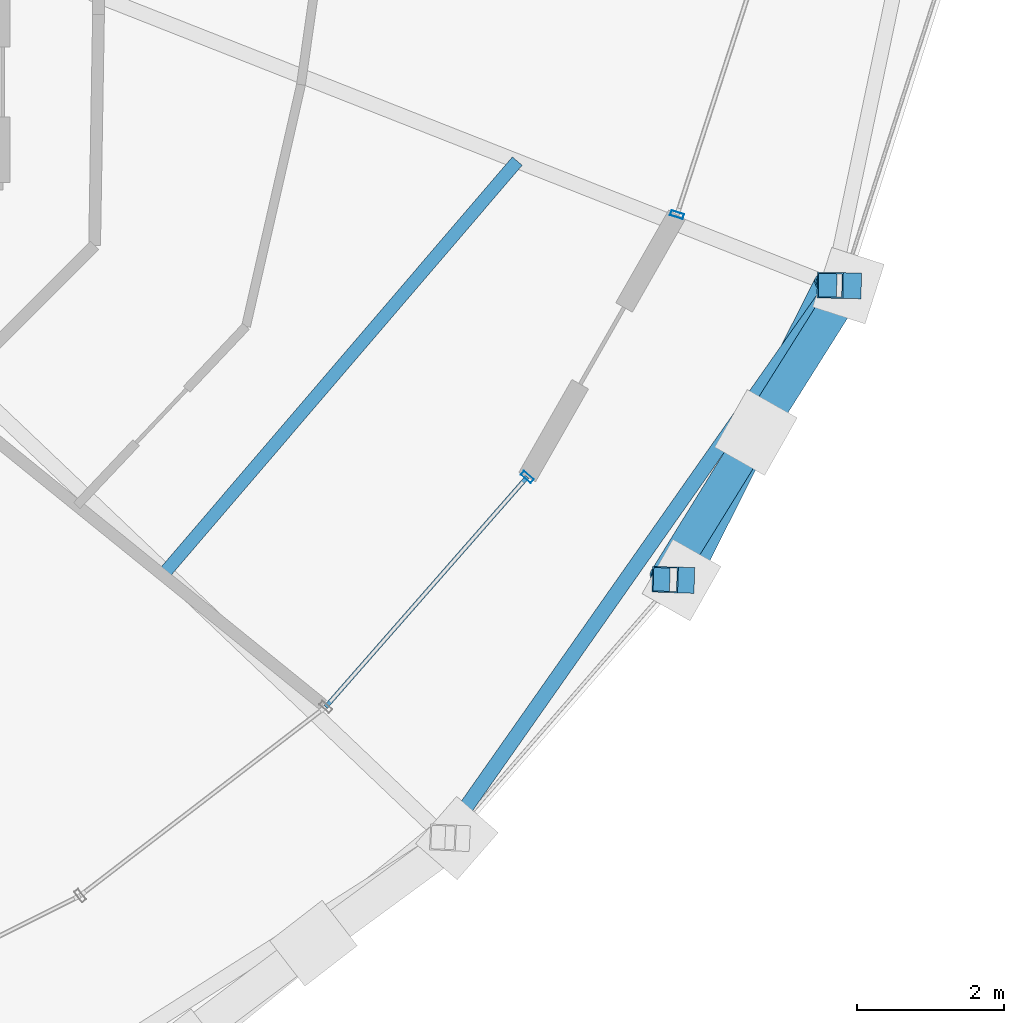
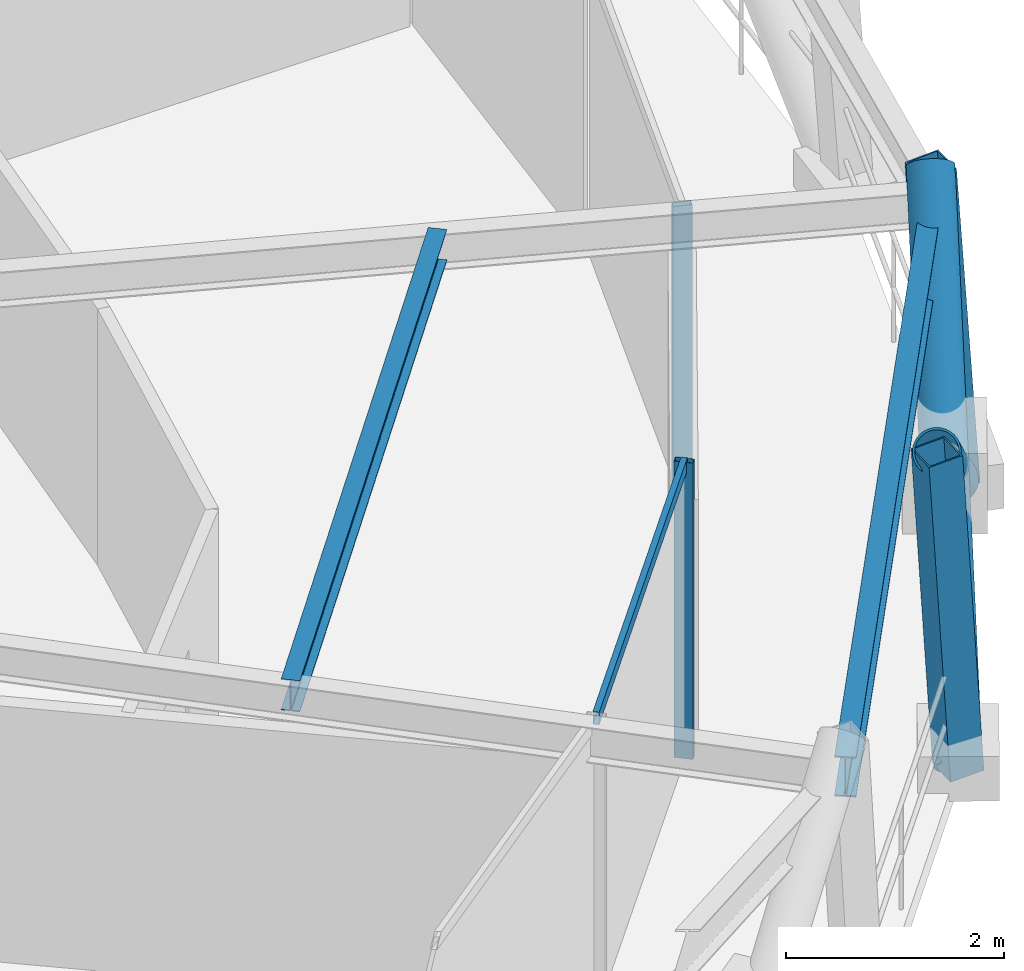
# One storey, part 5 of 17: 8 members, 2 beams, 2 elements without a shape of their own.
"""IFC4 building model written with IfcOpenShell, lengths in metres."""

from ifc_helpers import new_model, si_unit, direction, frame, origin, origin_2d, place, context, subcontext, project, spatial, hollow_rectangle, hollow_circle, i_section, extrude, material, layer, layer_set, material_profile, profile_set, type_object, element, aggregate, save


model = new_model("IFC4")

# Units and contexts
model_context = context("Model", 3, precision=1e-05, world=origin(), true_north=direction((0.0, 1.0)))
body_context = subcontext(model_context, "Body", "Model", "MODEL_VIEW")
ifc_project = project(units=[si_unit("LENGTHUNIT", "METRE"), si_unit("AREAUNIT", "SQUARE_METRE"), si_unit("VOLUMEUNIT", "CUBIC_METRE"), si_unit("PLANEANGLEUNIT", "RADIAN"), si_unit("MASSUNIT", "GRAM", prefix="KILO")], contexts=[model_context])

# Site, building, storey
site_placement = place(None, origin())
site = spatial("IfcSite", under=ifc_project, at=site_placement, CompositionType="ELEMENT")
building_placement = place(site_placement, origin())
building = spatial("IfcBuilding", under=site, at=building_placement, Name="Veldorina Hangang Commons", CompositionType="ELEMENT")
storey_placement = place(building_placement, frame((0.0, 0.0, 229.199951171875)))
storey = spatial("IfcBuildingStorey", under=building, at=storey_placement, Name="L59", CompositionType="ELEMENT", Elevation=229.199951171875)

# Beams
ifc_material_1 = material(Name="Steel SM355-TMC", Category="steel")
ifc_material_profile_1 = material_profile(ifc_material_1, i_section(OverallWidth=0.175048828125, OverallDepth=0.35009765625, WebThickness=0.007080078125, FlangeThickness=0.010986328125, FilletRadius=0.012939453125, at=origin_2d()), Name="H-350x175x7x11")
ifc_profile_set_1 = profile_set([ifc_material_profile_1], Name="Steel SM355-TMC")
beam_type_1 = type_object("IfcBeamType", Name="BM-JST350", PredefinedType="JOIST", material=ifc_profile_set_1)
beam_1_placement = place(storey_placement, frame((45.389404296875, 11.260986328125, 3.18505859375), z_axis=(0.650514890671, 0.759493500312, 0.0), x_axis=(-0.759493500312, 0.650514890671, 0.0)))
element("IfcBeam", 1, at=beam_1_placement, inside=storey, type_object=beam_type_1, Name="L59 secondary floor joist 15", PredefinedType="JOIST", context=body_context, shape_type="SweptSolid", body=[
    extrude(i_section(OverallWidth=0.175048828125, OverallDepth=0.35009765625, WebThickness=0.007080078125, FlangeThickness=0.010986328125, FilletRadius=0.012939453125, at=origin_2d()), origin(), (0.0, 0.0, 1.0), 7.345703125),
])
ifc_material_profile_2 = material_profile(ifc_material_1, i_section(OverallWidth=0.199951171875, OverallDepth=0.449951171875, WebThickness=0.009033203125, FlangeThickness=0.013916015625, FilletRadius=0.01611328125, at=origin_2d()), Name="H-450x200x9x14")
ifc_profile_set_2 = profile_set([ifc_material_profile_2], Name="Steel SM355-TMC")
beam_type_2 = type_object("IfcBeamType", Name="BM-RB450", PredefinedType="BEAM", material=ifc_profile_set_2)
beam_2_placement = place(storey_placement, frame((49.18310546875, 7.65185546875, 3.135009765625), z_axis=(0.574723801325, 0.818347451998, 0.0), x_axis=(-0.818347451998, 0.574723801325, 0.0)))
element("IfcBeam", 2, at=beam_2_placement, inside=storey, type_object=beam_type_2, Name="L59 perimeter hoop ring beam 28", PredefinedType="BEAM", context=body_context, shape_type="SweptSolid", body=[
    extrude(i_section(OverallWidth=0.199951171875, OverallDepth=0.449951171875, WebThickness=0.009033203125, FlangeThickness=0.013916015625, FilletRadius=0.01611328125, at=origin_2d()), origin(), (0.0, 0.0, 1.0), 9.16552734375),
])

# Curtain wall, member
ifc_material_2 = material(Name="Glass Low-E Selective", Category="glass")
ifc_layer = layer(ifc_material_2, 0.179931640625)
ifc_layer_set = layer_set([ifc_layer], Name="Glass Low-E Selective")
curtain_wall_type = type_object("IfcCurtainWallType", Name="CW-SYS-Z3", PredefinedType="NOTDEFINED", material=ifc_layer_set)
curtain_wall_1_placement = place(storey_placement, origin())
curtain_wall_1 = element("IfcCurtainWall", 3, at=curtain_wall_1_placement, inside=storey, type_object=curtain_wall_type, Name="L59 unitised curtain wall CW-L59-R1", PredefinedType="NOTDEFINED")
ifc_material_3 = material(Name="Aluminium Anodized AA6063-T6", Category="aluminium")
ifc_material_profile_3 = material_profile(ifc_material_3, hollow_rectangle(XDim=0.070068359375, YDim=0.179931640625, WallThickness=0.00390625, at=origin_2d()), Name="ALU-RHS-180x70x4")
ifc_profile_set_3 = profile_set([ifc_material_profile_3], Name="Aluminium Anodized AA6063-T6")
member_type_1 = type_object("IfcMemberType", Name="CW-MUL-180", PredefinedType="MULLION", material=ifc_profile_set_3)
member_1_placement = place(storey_placement, frame((50.303955078125, 12.549560546875, 0.0), z_axis=(0.0, 0.0, 1.0), x_axis=(-0.659188335679, -0.751977884053, 0.0)))
member_1 = element("IfcMember", 4, at=member_1_placement, type_object=member_type_1, Name="CW-L59-R1 vertical mullion 4", PredefinedType="MULLION", context=body_context, shape_type="SweptSolid", body=[
    extrude(hollow_rectangle(XDim=0.070068359375, YDim=0.179931640625, WallThickness=0.00390625, at=origin_2d()), origin(), (0.0, 0.0, 1.0), 3.320068359375),
])

curtain_wall_2_placement = place(storey_placement, origin())
curtain_wall_2 = element("IfcCurtainWall", 5, at=curtain_wall_2_placement, inside=storey, type_object=curtain_wall_type, Name="L59 unitised curtain wall CW-L59-R2", PredefinedType="NOTDEFINED")
member_2_placement = place(storey_placement, frame((52.33837890625, 16.11279296875, 0.0), z_axis=(0.0, 0.0, 1.0), x_axis=(0.308236734317, 0.951309684392, 0.0)))
member_2 = element("IfcMember", 6, at=member_2_placement, type_object=member_type_1, Name="CW-L59-R2 vertical mullion 1", PredefinedType="MULLION", context=body_context, shape_type="SweptSolid", body=[
    extrude(hollow_rectangle(XDim=0.070068359375, YDim=0.179931640625, WallThickness=0.00390625, at=origin_2d()), origin(), (0.0, 0.0, 1.0), 3.320068359375),
])
aggregate(curtain_wall_2, [member_2])

# Member
ifc_material_profile_4 = material_profile(ifc_material_3, hollow_rectangle(XDim=0.06005859375, YDim=0.139892578125, WallThickness=0.00341796875, at=origin_2d()), Name="ALU-RHS-140x60x3.5")
ifc_profile_set_4 = profile_set([ifc_material_profile_4], Name="Aluminium Anodized AA6063-T6")
member_type_2 = type_object("IfcMemberType", Name="CW-TRN-140", PredefinedType="USERDEFINED", material=ifc_profile_set_4)
member_3_placement = place(storey_placement, frame((47.566162109375, 9.42626953125, 3.280029296875), z_axis=(0.659174350553, 0.751990143269, 0.0), x_axis=(-0.751990143269, 0.659174350553, 0.0)))
member_3 = element("IfcMember", 7, at=member_3_placement, type_object=member_type_2, Name="CW-L59-R1 facet 4 transom 1", ObjectType="TRANSOM", PredefinedType="USERDEFINED", context=body_context, shape_type="SweptSolid", body=[
    extrude(hollow_rectangle(XDim=0.06005859375, YDim=0.139892578125, WallThickness=0.00341796875, at=origin_2d()), origin(), (0.0, 0.0, 1.0), 4.1533203125),
])

aggregate(curtain_wall_1, [member_1, member_3])

# Members
ifc_material_profile_5 = material_profile(ifc_material_1, hollow_circle(Radius=0.22509765625, WallThickness=0.02197265625, at=origin_2d()), Name="CHS-450x22")
ifc_profile_set_5 = profile_set([ifc_material_profile_5], Name="Steel SM355-TMC")
member_type_3 = type_object("IfcMemberType", Name="DG-CHS450", PredefinedType="BRACE", material=ifc_profile_set_5)
member_4_placement = place(storey_placement, frame((52.3994140625, 11.1494140625, 0.0), z_axis=(0.351153635843, 0.696236062652, 0.626056282692), x_axis=(-0.892864605346, 0.450325211953, 0.0)))
element("IfcMember", 8, at=member_4_placement, inside=storey, type_object=member_type_3, Name="L59 continuous perimeter diagrid brace 29", PredefinedType="BRACE", context=body_context, shape_type="SweptSolid", body=[
    extrude(hollow_circle(Radius=0.22509765625, WallThickness=0.02197265625, at=origin_2d()), origin(), (0.0, 0.0, 1.0), 5.75048828125),
])
member_5_placement = place(storey_placement, frame((54.66650390625, 15.1484375, 0.0), z_axis=(-0.423262800068, -0.672086032457, 0.607576305541), x_axis=(0.846177475424, -0.532901191672, 0.0)))
element("IfcMember", 9, at=member_5_placement, inside=storey, type_object=member_type_3, Name="L59 split perimeter diagrid lower brace 30", PredefinedType="BRACE", context=body_context, shape_type="SweptSolid", body=[
    extrude(hollow_circle(Radius=0.22509765625, WallThickness=0.02197265625, at=origin_2d()), origin(), (0.0, 0.0, 1.0), 2.967041015625),
])
member_6_placement = place(storey_placement, frame((53.41064453125, 13.154296875, 1.802734375), z_axis=(-0.417312902205, -0.675625873719, 0.607766090215), x_axis=(0.850789795208, -0.525506160163, 0.0)))
element("IfcMember", 10, at=member_6_placement, inside=storey, type_object=member_type_3, Name="L59 split perimeter diagrid upper brace 30", PredefinedType="BRACE", context=body_context, shape_type="SweptSolid", body=[
    extrude(hollow_circle(Radius=0.22509765625, WallThickness=0.02197265625, at=origin_2d()), origin(), (0.0, 0.0, 1.0), 2.957275390625),
])
ifc_material_profile_6 = material_profile(ifc_material_1, hollow_rectangle(XDim=0.35009765625, YDim=0.35009765625, WallThickness=0.01611328125, at=origin_2d()), Name="SHS-350x350x16")
ifc_profile_set_6 = profile_set([ifc_material_profile_6], Name="Steel SM355-TMC")
member_type_4 = type_object("IfcMemberType", Name="STR-SHS350", PredefinedType="STRUT", material=ifc_profile_set_6)
member_7_placement = place(storey_placement, frame((52.3994140625, 11.1494140625, 0.0), z_axis=(-0.061796649646, 0.001895187503, 0.99808696132), x_axis=(-0.030653715011, -0.999530064458, 0.0)))
element("IfcMember", 11, at=member_7_placement, inside=storey, type_object=member_type_4, Name="L59 perimeter ring node post 29", PredefinedType="STRUT", context=body_context, shape_type="SweptSolid", body=[
    extrude(hollow_rectangle(XDim=0.35009765625, YDim=0.35009765625, WallThickness=0.01611328125, at=origin_2d()), origin(), (0.0, 0.0, 1.0), 3.60693359375),
])
member_8_placement = place(storey_placement, frame((54.66650390625, 15.1484375, 0.0), z_axis=(-0.068669686841, 0.001285442414, 0.997638622822), x_axis=(-0.018715932995, -0.999824841586, 0.0)))
element("IfcMember", 12, at=member_8_placement, inside=storey, type_object=member_type_4, Name="L59 perimeter ring node post 30", PredefinedType="STRUT", context=body_context, shape_type="SweptSolid", body=[
    extrude(hollow_rectangle(XDim=0.35009765625, YDim=0.35009765625, WallThickness=0.01611328125, at=origin_2d()), origin(), (0.0, 0.0, 1.0), 3.608642578125),
])

save(model, "model.ifc")
